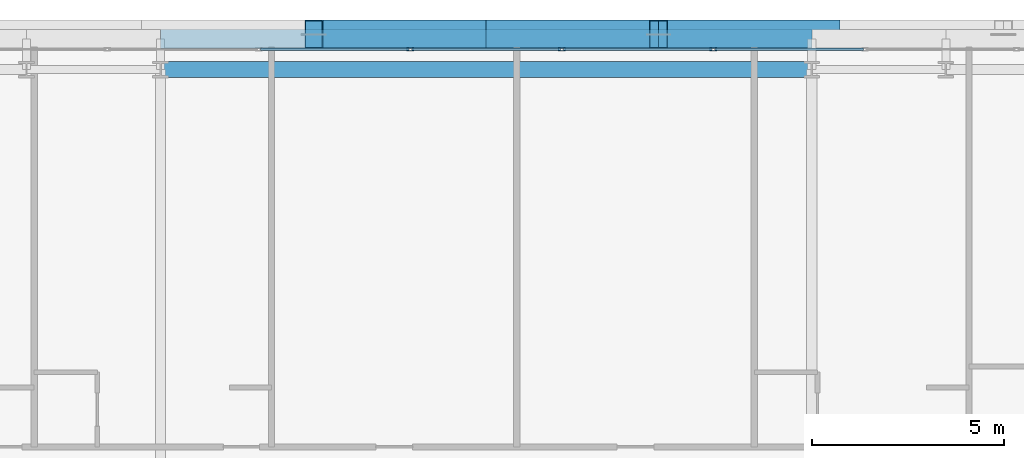
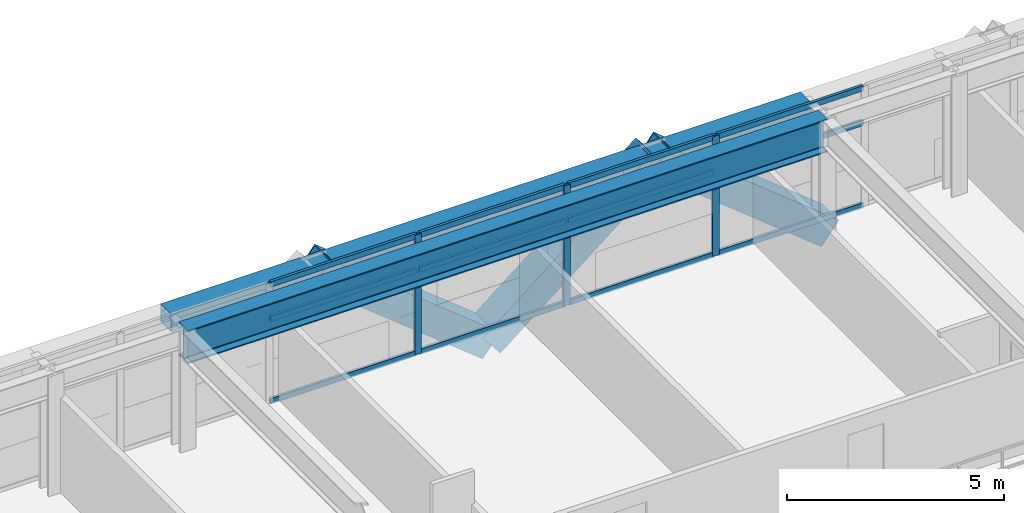
# One storey, part 22 of 39: 18 members, 2 beams, 1 element without a shape of its own.
"""IFC4 building model written with IfcOpenShell, lengths in metres."""

from ifc_helpers import new_model, si_unit, direction, frame, origin, origin_2d, place, context, subcontext, project, spatial, hollow_rectangle, i_section, extrude, source, transform, mapped, material, layer, layer_set, material_profile, profile_set, type_object, element, aggregate, save


model = new_model("IFC4")

# Units and contexts
model_context = context("Model", 3, precision=1e-05, world=origin(), true_north=direction((0.0, 1.0)))
body_context = subcontext(model_context, "Body", "Model", "MODEL_VIEW")
ifc_project = project(units=[si_unit("LENGTHUNIT", "METRE"), si_unit("AREAUNIT", "SQUARE_METRE"), si_unit("VOLUMEUNIT", "CUBIC_METRE"), si_unit("PLANEANGLEUNIT", "RADIAN"), si_unit("MASSUNIT", "GRAM", prefix="KILO")], contexts=[model_context])

# Site, building, storey
site_placement = place(None, origin())
site = spatial("IfcSite", under=ifc_project, at=site_placement, CompositionType="ELEMENT")
building_placement = place(site_placement, origin())
building = spatial("IfcBuilding", under=site, at=building_placement, Name="Ocotamira Hotel", CompositionType="ELEMENT")
storey_placement = place(building_placement, frame((0.0, 0.0, 126.0)))
storey = spatial("IfcBuildingStorey", under=building, at=storey_placement, Name="L31", CompositionType="ELEMENT", Elevation=126.0)

# Beams
ifc_material_1 = material(Name="Steel ASTM A992 Grade 50", Category="steel")
ifc_material_profile_1 = material_profile(ifc_material_1, i_section(OverallWidth=0.41796875, OverallDepth=0.927001953125, WebThickness=0.019287109375, FlangeThickness=0.031982421875, FilletRadius=0.02392578125, at=origin_2d()), Name="W36X231")
ifc_profile_set_1 = profile_set([ifc_material_profile_1], Name="Steel ASTM A992 Grade 50")
beam_type_1 = type_object("IfcBeamType", Name="BM-GIRD-W36X231", PredefinedType="BEAM", material=ifc_profile_set_1)
shared_shape_1 = source(origin(), body_context, "Body", "SweptSolid", [
    extrude(i_section(OverallWidth=0.41796875, OverallDepth=0.927001953125, WebThickness=0.019287109375, FlangeThickness=0.031982421875, FilletRadius=0.02392578125, at=origin_2d()), origin(), (0.0, 0.0, 1.0), 17.0),
])
beam_1_placement = place(storey_placement, frame((23.5, 49.050048828125, 2.896484375), z_axis=(1.0, 0.0, 0.0), x_axis=(0.0, 1.0, 0.0)))
element("IfcBeam", 1, at=beam_1_placement, inside=storey, type_object=beam_type_1, Name="L31 Girder Y49.05 X23.5-40.5", PredefinedType="BEAM", context=body_context, shape_type="MappedRepresentation", body=[
    mapped(shared_shape_1, transform((0.0, 0.0, 0.0), scale=1.0)),
])
ifc_material_2 = material(Name="Steel ASTM A500 Grade C", Category="steel")
ifc_material_profile_2 = material_profile(ifc_material_2, hollow_rectangle(XDim=0.5, YDim=0.5, WallThickness=0.02001953125, at=origin_2d()), Name="HSS500X500X20")
ifc_profile_set_2 = profile_set([ifc_material_profile_2], Name="Steel ASTM A500 Grade C")
beam_type_2 = type_object("IfcBeamType", Name="BM-SPAN-HSS500", PredefinedType="USERDEFINED", material=ifc_profile_set_2)
shared_shape_2 = source(origin(), body_context, "Body", "SweptSolid", [
    extrude(hollow_rectangle(XDim=0.5, YDim=0.5, WallThickness=0.02001953125, at=origin_2d()), origin(), (0.0, 0.0, 1.0), 17.0),
])
beam_2_placement = place(storey_placement, frame((23.5, 49.85009765625, 3.110107421875), z_axis=(1.0, 0.0, 0.0), x_axis=(0.0, 1.0, 0.0)))
element("IfcBeam", 2, at=beam_2_placement, inside=storey, type_object=beam_type_2, Name="L31 Edge Spandrel N X23.5-40.5", ObjectType="SPANDREL", PredefinedType="USERDEFINED", context=body_context, shape_type="MappedRepresentation", body=[
    mapped(shared_shape_2, transform((0.0, 0.0, 0.0), scale=1.0)),
])

# Members
ifc_material_3 = material(Name="Pale-metal coated steel ASTM A913 Grade 65", Category="steel")
ifc_material_profile_3 = material_profile(ifc_material_3, hollow_rectangle(XDim=0.75, YDim=0.75, WallThickness=0.028076171875, at=origin_2d()), Name="BOX750X750X28")
ifc_profile_set_3 = profile_set([ifc_material_profile_3], Name="Pale-metal coated steel ASTM A913 Grade 65")
member_type_1 = type_object("IfcMemberType", Name="MEM-EXO-BOX750", PredefinedType="BRACE", material=ifc_profile_set_3)
shared_shape_3 = source(origin(), body_context, "Body", "SweptSolid", [
    extrude(hollow_rectangle(XDim=0.75, YDim=0.75, WallThickness=0.028076171875, at=origin_2d()), origin(), (0.0, 0.0, 1.0), 5.762939453125),
])
for number, where, z_axis, x_axis, name in (
    (3, (32.0, 49.969970703125, -0.489990234375), (-0.780860543151, 0.0, 0.624705380279), (0.0, -1.0, 0.0), "L31 Exoskeleton Diagrid N1.2"),
    (4, (32.0, 49.969970703125, -0.489990234375), (0.780860543151, 0.0, 0.624705380279), (0.0, 1.0, 0.0), "L31 Exoskeleton Diagrid N2.1"),
    (5, (41.0, 49.969970703125, -0.489990234375), (-0.780860543151, 0.0, 0.624705380279), (0.0, -1.0, 0.0), "L31 Exoskeleton Diagrid N2.2"),
):
    element("IfcMember", number, at=place(storey_placement, frame(where, z_axis=z_axis, x_axis=x_axis)), inside=storey, type_object=member_type_1, Name=name, PredefinedType="BRACE", context=body_context, shape_type="MappedRepresentation", body=[
        mapped(shared_shape_3, transform((0.0, 0.0, 0.0), scale=1.0)),
    ])

# Curtain wall, members
ifc_material_4 = material(Name="Anodised pale-metal aluminium and solar glass", Category="aluminium")
ifc_layer = layer(ifc_material_4, 0.179931640625)
ifc_layer_set = layer_set([ifc_layer], Name="Anodised pale-metal aluminium and solar glass")
curtain_wall_type = type_object("IfcCurtainWallType", Name="CW-SYS3-Z2", PredefinedType="NOTDEFINED", material=ifc_layer_set)
curtain_wall_placement = place(storey_placement, origin())
curtain_wall = element("IfcCurtainWall", 6, at=curtain_wall_placement, inside=storey, type_object=curtain_wall_type, Name="L31 Curtain Wall CW-3 CW-L31-N", PredefinedType="NOTDEFINED")
ifc_material_5 = material(Name="Anodised pale-metal aluminium 6063-T6", Category="aluminium")
ifc_material_profile_4 = material_profile(ifc_material_5, hollow_rectangle(XDim=0.074951171875, YDim=0.14990234375, WallThickness=0.006103515625, at=origin_2d()), Name="HSS150X75X6")
ifc_profile_set_4 = profile_set([ifc_material_profile_4], Name="Anodised pale-metal aluminium 6063-T6")
member_type_2 = type_object("IfcMemberType", Name="CWT-150X75", PredefinedType="USERDEFINED", material=ifc_profile_set_4)
shared_shape_4 = source(origin(), body_context, "Body", "SweptSolid", [
    extrude(hollow_rectangle(XDim=0.074951171875, YDim=0.14990234375, WallThickness=0.006103515625, at=origin_2d()), origin(), (0.0, 0.0, 1.0), 3.87548828125),
])
member_1_placement = place(storey_placement, frame((26.106689453125, 49.580078125, 0.03759765625), z_axis=(1.0, 0.0, 0.0), x_axis=(0.0, 1.0, 0.0)))
member_1 = element("IfcMember", 7, at=member_1_placement, type_object=member_type_2, Name="CW-3 transom 4.1", ObjectType="TRANSOM", PredefinedType="USERDEFINED", context=body_context, shape_type="MappedRepresentation", body=[
    mapped(shared_shape_4, transform((0.0, 0.0, 0.0), scale=1.0)),
])
member_2_placement = place(storey_placement, frame((26.106689453125, 49.580078125, 2.35009765625), z_axis=(1.0, 0.0, 0.0), x_axis=(0.0, 1.0, 0.0)))
member_2 = element("IfcMember", 8, at=member_2_placement, type_object=member_type_2, Name="CW-3 transom 4.2", ObjectType="TRANSOM", PredefinedType="USERDEFINED", context=body_context, shape_type="MappedRepresentation", body=[
    mapped(shared_shape_4, transform((0.0, 0.0, 0.0), scale=1.0)),
])
member_3_placement = place(storey_placement, frame((26.106689453125, 49.580078125, 3.322509765625), z_axis=(1.0, 0.0, 0.0), x_axis=(0.0, 1.0, 0.0)))
member_3 = element("IfcMember", 9, at=member_3_placement, type_object=member_type_2, Name="CW-3 transom 4.3", ObjectType="TRANSOM", PredefinedType="USERDEFINED", context=body_context, shape_type="MappedRepresentation", body=[
    mapped(shared_shape_4, transform((0.0, 0.0, 0.0), scale=1.0)),
])
member_4_placement = place(storey_placement, frame((30.062255859375, 49.580078125, 0.03759765625), z_axis=(1.0, 0.0, 0.0), x_axis=(0.0, 1.0, 0.0)))
member_4 = element("IfcMember", 10, at=member_4_placement, type_object=member_type_2, Name="CW-3 transom 5.1", ObjectType="TRANSOM", PredefinedType="USERDEFINED", context=body_context, shape_type="MappedRepresentation", body=[
    mapped(shared_shape_4, transform((0.0, 0.0, 0.0), scale=1.0)),
])
member_5_placement = place(storey_placement, frame((30.062255859375, 49.580078125, 2.35009765625), z_axis=(1.0, 0.0, 0.0), x_axis=(0.0, 1.0, 0.0)))
member_5 = element("IfcMember", 11, at=member_5_placement, type_object=member_type_2, Name="CW-3 transom 5.2", ObjectType="TRANSOM", PredefinedType="USERDEFINED", context=body_context, shape_type="MappedRepresentation", body=[
    mapped(shared_shape_4, transform((0.0, 0.0, 0.0), scale=1.0)),
])
member_6_placement = place(storey_placement, frame((30.062255859375, 49.580078125, 3.322509765625), z_axis=(1.0, 0.0, 0.0), x_axis=(0.0, 1.0, 0.0)))
member_6 = element("IfcMember", 12, at=member_6_placement, type_object=member_type_2, Name="CW-3 transom 5.3", ObjectType="TRANSOM", PredefinedType="USERDEFINED", context=body_context, shape_type="MappedRepresentation", body=[
    mapped(shared_shape_4, transform((0.0, 0.0, 0.0), scale=1.0)),
])
member_7_placement = place(storey_placement, frame((34.017822265625, 49.580078125, 0.03759765625), z_axis=(1.0, 0.0, 0.0), x_axis=(0.0, 1.0, 0.0)))
member_7 = element("IfcMember", 13, at=member_7_placement, type_object=member_type_2, Name="CW-3 transom 6.1", ObjectType="TRANSOM", PredefinedType="USERDEFINED", context=body_context, shape_type="MappedRepresentation", body=[
    mapped(shared_shape_4, transform((0.0, 0.0, 0.0), scale=1.0)),
])
member_8_placement = place(storey_placement, frame((34.017822265625, 49.580078125, 2.35009765625), z_axis=(1.0, 0.0, 0.0), x_axis=(0.0, 1.0, 0.0)))
member_8 = element("IfcMember", 14, at=member_8_placement, type_object=member_type_2, Name="CW-3 transom 6.2", ObjectType="TRANSOM", PredefinedType="USERDEFINED", context=body_context, shape_type="MappedRepresentation", body=[
    mapped(shared_shape_4, transform((0.0, 0.0, 0.0), scale=1.0)),
])
member_9_placement = place(storey_placement, frame((34.017822265625, 49.580078125, 3.322509765625), z_axis=(1.0, 0.0, 0.0), x_axis=(0.0, 1.0, 0.0)))
member_9 = element("IfcMember", 15, at=member_9_placement, type_object=member_type_2, Name="CW-3 transom 6.3", ObjectType="TRANSOM", PredefinedType="USERDEFINED", context=body_context, shape_type="MappedRepresentation", body=[
    mapped(shared_shape_4, transform((0.0, 0.0, 0.0), scale=1.0)),
])
member_10_placement = place(storey_placement, frame((37.973388671875, 49.580078125, 0.03759765625), z_axis=(1.0, 0.0, 0.0), x_axis=(0.0, 1.0, 0.0)))
member_10 = element("IfcMember", 16, at=member_10_placement, type_object=member_type_2, Name="CW-3 transom 7.1", ObjectType="TRANSOM", PredefinedType="USERDEFINED", context=body_context, shape_type="MappedRepresentation", body=[
    mapped(shared_shape_4, transform((0.0, 0.0, 0.0), scale=1.0)),
])
member_11_placement = place(storey_placement, frame((37.973388671875, 49.580078125, 2.35009765625), z_axis=(1.0, 0.0, 0.0), x_axis=(0.0, 1.0, 0.0)))
member_11 = element("IfcMember", 17, at=member_11_placement, type_object=member_type_2, Name="CW-3 transom 7.2", ObjectType="TRANSOM", PredefinedType="USERDEFINED", context=body_context, shape_type="MappedRepresentation", body=[
    mapped(shared_shape_4, transform((0.0, 0.0, 0.0), scale=1.0)),
])
member_12_placement = place(storey_placement, frame((37.973388671875, 49.580078125, 3.322509765625), z_axis=(1.0, 0.0, 0.0), x_axis=(0.0, 1.0, 0.0)))
member_12 = element("IfcMember", 18, at=member_12_placement, type_object=member_type_2, Name="CW-3 transom 7.3", ObjectType="TRANSOM", PredefinedType="USERDEFINED", context=body_context, shape_type="MappedRepresentation", body=[
    mapped(shared_shape_4, transform((0.0, 0.0, 0.0), scale=1.0)),
])
ifc_material_profile_5 = material_profile(ifc_material_5, hollow_rectangle(XDim=0.080078125, YDim=0.179931640625, WallThickness=0.006103515625, at=origin_2d()), Name="HSS180X80X6")
ifc_profile_set_5 = profile_set([ifc_material_profile_5], Name="Anodised pale-metal aluminium 6063-T6")
member_type_3 = type_object("IfcMemberType", Name="CWM-180X75", PredefinedType="MULLION", material=ifc_profile_set_5)
shared_shape_5 = source(origin(), body_context, "Body", "SweptSolid", [
    extrude(hollow_rectangle(XDim=0.080078125, YDim=0.179931640625, WallThickness=0.006103515625, at=origin_2d()), origin(), (0.0, 0.0, 1.0), 3.360107421875),
])
member_13_placement = place(storey_placement, frame((30.022216796875, 49.580078125, 0.0), z_axis=(0.0, 0.0, 1.0), x_axis=(0.0, 1.0, 0.0)))
member_13 = element("IfcMember", 19, at=member_13_placement, type_object=member_type_3, Name="CW-3 mullion 5", PredefinedType="MULLION", context=body_context, shape_type="MappedRepresentation", body=[
    mapped(shared_shape_5, transform((0.0, 0.0, 0.0), scale=1.0)),
])
member_14_placement = place(storey_placement, frame((33.977783203125, 49.580078125, 0.0), z_axis=(0.0, 0.0, 1.0), x_axis=(0.0, 1.0, 0.0)))
member_14 = element("IfcMember", 20, at=member_14_placement, type_object=member_type_3, Name="CW-3 mullion 6", PredefinedType="MULLION", context=body_context, shape_type="MappedRepresentation", body=[
    mapped(shared_shape_5, transform((0.0, 0.0, 0.0), scale=1.0)),
])
member_15_placement = place(storey_placement, frame((37.933349609375, 49.580078125, 0.0), z_axis=(0.0, 0.0, 1.0), x_axis=(0.0, 1.0, 0.0)))
member_15 = element("IfcMember", 21, at=member_15_placement, type_object=member_type_3, Name="CW-3 mullion 7", PredefinedType="MULLION", context=body_context, shape_type="MappedRepresentation", body=[
    mapped(shared_shape_5, transform((0.0, 0.0, 0.0), scale=1.0)),
])
aggregate(curtain_wall, [member_13, member_14, member_15, member_1, member_2, member_3, member_4, member_5, member_6, member_7, member_8, member_9, member_10, member_11, member_12])

save(model, "model.ifc")
